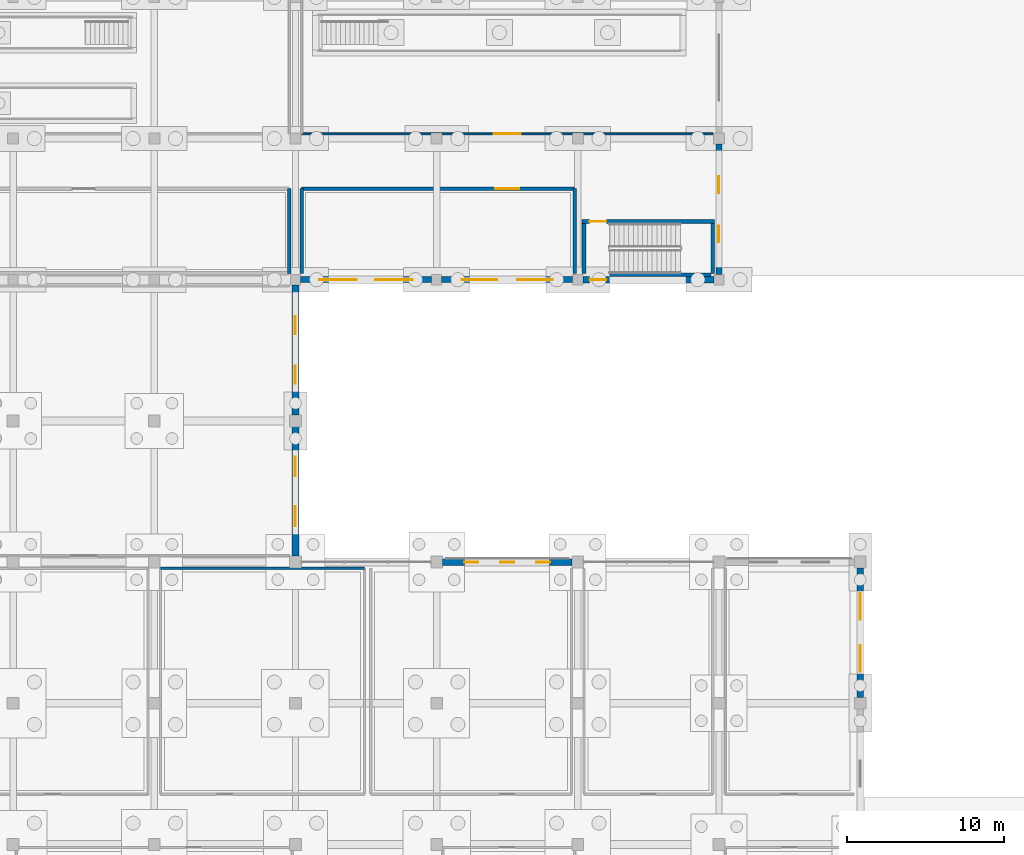
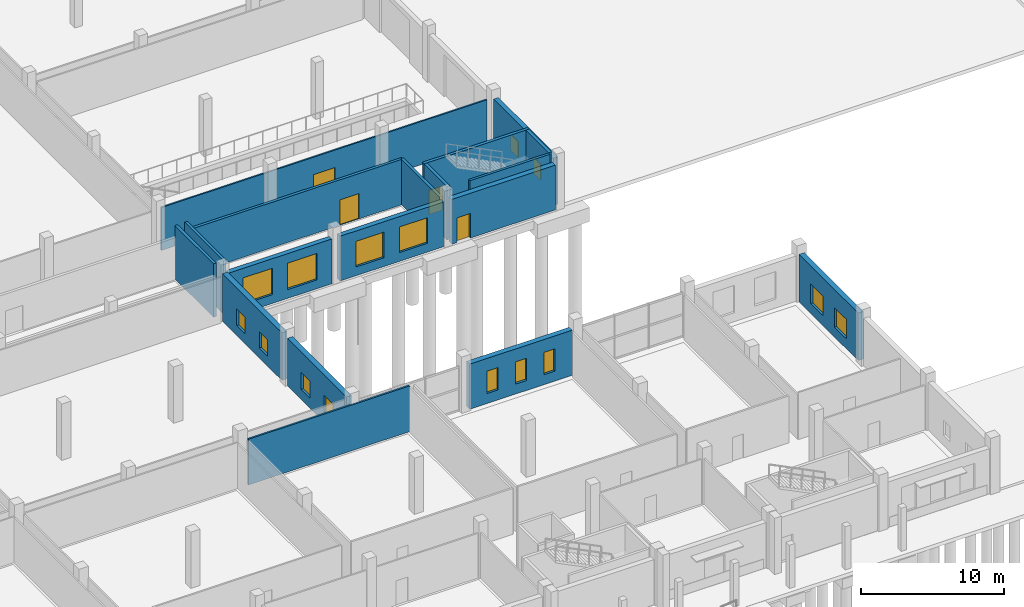
# One storey, part 66 of 112: 18 walls, 15 windows, 4 doors, 19 openings.
"""IFC4 building model written with IfcOpenShell, lengths in metres."""

from ifc_helpers import new_model, si_unit, direction, frame, frame_2d, origin, place, context, subcontext, project, spatial, rectangle, extrude, material, layer, layer_set, type_object, element, fill, save


model = new_model("IFC4")

# Units and contexts
model_context = context("Model", 3, precision=1e-05, world=origin(), true_north=direction((0.0, 1.0)))
body_context = subcontext(model_context, "Body", "Model", "MODEL_VIEW")
ifc_project = project(units=[si_unit("LENGTHUNIT", "METRE"), si_unit("AREAUNIT", "SQUARE_METRE"), si_unit("VOLUMEUNIT", "CUBIC_METRE"), si_unit("PLANEANGLEUNIT", "RADIAN"), si_unit("MASSUNIT", "GRAM", prefix="KILO")], contexts=[model_context])

# Site, building, storey
site_placement = place(None, origin())
site = spatial("IfcSite", under=ifc_project, at=site_placement, CompositionType="ELEMENT")
building_placement = place(site_placement, origin())
building = spatial("IfcBuilding", under=site, at=building_placement, Name="Tharagai Park Tramway Depot", CompositionType="ELEMENT")
storey_placement = place(building_placement, origin())
storey = spatial("IfcBuildingStorey", under=building, at=storey_placement, Name="L00", CompositionType="ELEMENT", Elevation=0.0)

# Wall, openings, windows
ifc_material_1 = material(Name="Charnockite stone", Category="masonry")
ifc_layer_1 = layer(ifc_material_1, 0.3798828125)
ifc_layer_set_1 = layer_set([ifc_layer_1], Name="Charnockite stone")
wall_type_1 = type_object("IfcWallType", Name="EW-01", PredefinedType="SOLIDWALL", material=ifc_layer_set_1)
wall_1_placement = place(storey_placement, frame((63.322998046875, 45.0, 0.0), z_axis=(0.0, 0.0, 1.0), x_axis=(1.0, 0.0, 0.0)))
wall_1 = element("IfcWall", 1, at=wall_1_placement, inside=storey, type_object=wall_type_1, Name="L00 V2 Exterior Masonry Wall EW-01", PredefinedType="SOLIDWALL", context=body_context, shape_type="SweptSolid", body=[
    extrude(rectangle(XDim=8.35400390625, YDim=0.3798828125, at=frame_2d((4.177001953125, 0.0))), origin(), (0.0, 0.0, 1.0), 3.81201171875),
])
opening_1_placement = place(wall_1_placement, frame((1.18505859375, 0.0, 0.75)))
opening_1 = element("IfcOpeningElement", 2, at=opening_1_placement, cuts=wall_1, Name="Opening WN-34", PredefinedType="OPENING", context=body_context, shape_type="SweptSolid", body=[
    extrude(rectangle(XDim=2.39990234375, YDim=2.25, at=frame_2d((1.199951171875, 1.125))), frame((0.0, 0.199951171875, 0.0), z_axis=(0.0, -1.0, 0.0), x_axis=(1.0, 0.0, 0.0)), (0.0, 0.0, 1.0), 0.39990234375),
])
opening_2_placement = place(wall_1_placement, frame((4.76904296875, 0.0, 0.75)))
opening_2 = element("IfcOpeningElement", 3, at=opening_2_placement, cuts=wall_1, Name="Opening WN-34", PredefinedType="OPENING", context=body_context, shape_type="SweptSolid", body=[
    extrude(rectangle(XDim=2.39990234375, YDim=2.25, at=frame_2d((1.199951171875, 1.125))), frame((0.0, 0.199951171875, 0.0), z_axis=(0.0, -1.0, 0.0), x_axis=(1.0, 0.0, 0.0)), (0.0, 0.0, 1.0), 0.39990234375),
])
ifc_material_2 = material(Name="Laminated solar-control glass", Category="glass")
window_type_1 = type_object("IfcWindowType", Name="WN-34", PartitioningType="SINGLE_PANEL", PredefinedType="WINDOW", material=ifc_material_2)
window_1_placement = place(opening_1_placement, origin())
window_1 = element("IfcWindow", 4, at=window_1_placement, inside=storey, type_object=window_type_1, Name="L00 V2 Gothic Lancet Window WN-34", OverallHeight=2.25, OverallWidth=2.39990234375, PartitioningType="SINGLE_PANEL", PredefinedType="WINDOW", context=body_context, shape_type="SweptSolid", body=[
    extrude(rectangle(XDim=2.39990234375, YDim=2.25, at=frame_2d((1.199951171875, 1.125))), frame((0.0, 0.030029296875, 0.0), z_axis=(0.0, -1.0, 0.0), x_axis=(1.0, 0.0, 0.0)), (0.0, 0.0, 1.0), 0.06005859375),
])
fill(opening_1, window_1)
window_2_placement = place(opening_2_placement, origin())
window_2 = element("IfcWindow", 5, at=window_2_placement, inside=storey, type_object=window_type_1, Name="L00 V2 Gothic Lancet Window WN-34", OverallHeight=2.25, OverallWidth=2.39990234375, PartitioningType="SINGLE_PANEL", PredefinedType="WINDOW", context=body_context, shape_type="SweptSolid", body=[
    extrude(rectangle(XDim=2.39990234375, YDim=2.25, at=frame_2d((1.199951171875, 1.125))), frame((0.0, 0.030029296875, 0.0), z_axis=(0.0, -1.0, 0.0), x_axis=(1.0, 0.0, 0.0)), (0.0, 0.0, 1.0), 0.06005859375),
])
fill(opening_2, window_2)

wall_2_placement = place(storey_placement, frame((72.322998046875, 45.0, 0.0), z_axis=(0.0, 0.0, 1.0), x_axis=(1.0, 0.0, 0.0)))
wall_2 = element("IfcWall", 6, at=wall_2_placement, inside=storey, type_object=wall_type_1, Name="L00 V2 Exterior Masonry Wall EW-01", PredefinedType="SOLIDWALL", context=body_context, shape_type="SweptSolid", body=[
    extrude(rectangle(XDim=8.35400390625, YDim=0.3798828125, at=frame_2d((4.177001953125, 0.0))), origin(), (0.0, 0.0, 1.0), 3.81201171875),
])
opening_3_placement = place(wall_2_placement, frame((1.284912109375, 0.0, 0.75)))
opening_3 = element("IfcOpeningElement", 7, at=opening_3_placement, cuts=wall_2, Name="Opening WN-36", PredefinedType="OPENING", context=body_context, shape_type="SweptSolid", body=[
    extrude(rectangle(XDim=2.25, YDim=2.179931640625, at=frame_2d((1.125, 1.08984375))), frame((0.0, 0.199951171875, 0.0), z_axis=(0.0, -1.0, 0.0), x_axis=(1.0, 0.0, 0.0)), (0.0, 0.0, 1.0), 0.39990234375),
])
opening_4_placement = place(wall_2_placement, frame((4.819091796875, 0.0, 0.75)))
opening_4 = element("IfcOpeningElement", 8, at=opening_4_placement, cuts=wall_2, Name="Opening WN-36", PredefinedType="OPENING", context=body_context, shape_type="SweptSolid", body=[
    extrude(rectangle(XDim=2.25, YDim=2.179931640625, at=frame_2d((1.125, 1.08984375))), frame((0.0, 0.199951171875, 0.0), z_axis=(0.0, -1.0, 0.0), x_axis=(1.0, 0.0, 0.0)), (0.0, 0.0, 1.0), 0.39990234375),
])
window_type_2 = type_object("IfcWindowType", Name="WN-36", PartitioningType="SINGLE_PANEL", PredefinedType="WINDOW", material=ifc_material_2)
window_3_placement = place(opening_3_placement, origin())
window_3 = element("IfcWindow", 9, at=window_3_placement, inside=storey, type_object=window_type_2, Name="L00 V2 Gothic Lancet Window WN-36", OverallHeight=2.179931640625, OverallWidth=2.25, PartitioningType="SINGLE_PANEL", PredefinedType="WINDOW", context=body_context, shape_type="SweptSolid", body=[
    extrude(rectangle(XDim=2.25, YDim=2.179931640625, at=frame_2d((1.125, 1.08984375))), frame((0.0, 0.030029296875, 0.0), z_axis=(0.0, -1.0, 0.0), x_axis=(1.0, 0.0, 0.0)), (0.0, 0.0, 1.0), 0.06005859375),
])
fill(opening_3, window_3)
window_4_placement = place(opening_4_placement, origin())
window_4 = element("IfcWindow", 10, at=window_4_placement, inside=storey, type_object=window_type_2, Name="L00 V2 Gothic Lancet Window WN-36", OverallHeight=2.179931640625, OverallWidth=2.25, PartitioningType="SINGLE_PANEL", PredefinedType="WINDOW", context=body_context, shape_type="SweptSolid", body=[
    extrude(rectangle(XDim=2.25, YDim=2.179931640625, at=frame_2d((1.125, 1.08984375))), frame((0.0, 0.030029296875, 0.0), z_axis=(0.0, -1.0, 0.0), x_axis=(1.0, 0.0, 0.0)), (0.0, 0.0, 1.0), 0.06005859375),
])
fill(opening_4, window_4)

wall_3_placement = place(storey_placement, frame((90.0, 45.322998046875, 0.0), z_axis=(0.0, 0.0, 1.0), x_axis=(0.0, 1.0, 0.0)))
wall_3 = element("IfcWall", 11, at=wall_3_placement, inside=storey, type_object=wall_type_1, Name="L00 V2 Exterior Masonry Wall EW-01", PredefinedType="SOLIDWALL", context=body_context, shape_type="SweptSolid", body=[
    extrude(rectangle(XDim=8.3291015625, YDim=0.3798828125, at=frame_2d((4.16455078125, 0.0))), origin(), (0.0, 0.0, 1.0), 4.011962890625),
])
opening_5_placement = place(wall_3_placement, frame((2.070068359375, 0.0, 0.85009765625)))
opening_5 = element("IfcOpeningElement", 12, at=opening_5_placement, cuts=wall_3, Name="Opening WN-54", PredefinedType="OPENING", context=body_context, shape_type="SweptSolid", body=[
    extrude(rectangle(XDim=1.06005859375, YDim=1.35009765625, at=frame_2d((0.530029296875, 0.675048828125))), frame((0.0, 0.199951171875, 0.0), z_axis=(0.0, -1.0, 0.0), x_axis=(1.0, 0.0, 0.0)), (0.0, 0.0, 1.0), 0.39990234375),
])
opening_6_placement = place(wall_3_placement, frame((5.198974609375, 0.0, 0.85009765625)))
opening_6 = element("IfcOpeningElement", 13, at=opening_6_placement, cuts=wall_3, Name="Opening WN-54", PredefinedType="OPENING", context=body_context, shape_type="SweptSolid", body=[
    extrude(rectangle(XDim=1.06005859375, YDim=1.35009765625, at=frame_2d((0.530029296875, 0.675048828125))), frame((0.0, 0.199951171875, 0.0), z_axis=(0.0, -1.0, 0.0), x_axis=(1.0, 0.0, 0.0)), (0.0, 0.0, 1.0), 0.39990234375),
])
window_type_3 = type_object("IfcWindowType", Name="WN-54", PartitioningType="SINGLE_PANEL", PredefinedType="WINDOW", material=ifc_material_2)
window_5_placement = place(opening_5_placement, origin())
window_5 = element("IfcWindow", 14, at=window_5_placement, inside=storey, type_object=window_type_3, Name="L00 V2 Side Lancet Window WN-54", OverallHeight=1.35009765625, OverallWidth=1.06005859375, PartitioningType="SINGLE_PANEL", PredefinedType="WINDOW", context=body_context, shape_type="SweptSolid", body=[
    extrude(rectangle(XDim=1.06005859375, YDim=1.35009765625, at=frame_2d((0.530029296875, 0.675048828125))), frame((0.0, 0.030029296875, 0.0), z_axis=(0.0, -1.0, 0.0), x_axis=(1.0, 0.0, 0.0)), (0.0, 0.0, 1.0), 0.06005859375),
])
fill(opening_5, window_5)
window_6_placement = place(opening_6_placement, origin())
window_6 = element("IfcWindow", 15, at=window_6_placement, inside=storey, type_object=window_type_3, Name="L00 V2 Side Lancet Window WN-54", OverallHeight=1.35009765625, OverallWidth=1.06005859375, PartitioningType="SINGLE_PANEL", PredefinedType="WINDOW", context=body_context, shape_type="SweptSolid", body=[
    extrude(rectangle(XDim=1.06005859375, YDim=1.35009765625, at=frame_2d((0.530029296875, 0.675048828125))), frame((0.0, 0.030029296875, 0.0), z_axis=(0.0, -1.0, 0.0), x_axis=(1.0, 0.0, 0.0)), (0.0, 0.0, 1.0), 0.06005859375),
])
fill(opening_6, window_6)

ifc_layer_2 = layer(ifc_material_1, 0.419921875)
ifc_layer_set_2 = layer_set([ifc_layer_2], Name="Charnockite stone")
wall_type_2 = type_object("IfcWallType", Name="EW-07", PredefinedType="SOLIDWALL", material=ifc_layer_set_2)
wall_4_placement = place(storey_placement, frame((72.373046875, 27.0, 0.0), z_axis=(0.0, 0.0, 1.0), x_axis=(1.0, 0.0, 0.0)))
wall_4 = element("IfcWall", 16, at=wall_4_placement, inside=storey, type_object=wall_type_2, Name="L00 V4 Exterior Masonry Wall EW-07", PredefinedType="SOLIDWALL", context=body_context, shape_type="SweptSolid", body=[
    extrude(rectangle(XDim=8.25390625, YDim=0.419921875, at=frame_2d((4.126953125, 0.0))), origin(), (0.0, 0.0, 1.0), 3.842041015625),
])
opening_7_placement = place(wall_4_placement, frame((1.387939453125, 0.0, 0.85009765625)))
opening_7 = element("IfcOpeningElement", 17, at=opening_7_placement, cuts=wall_4, Name="Opening WN-08", PredefinedType="OPENING", context=body_context, shape_type="SweptSolid", body=[
    extrude(rectangle(XDim=0.89990234375, YDim=1.89990234375, at=frame_2d((0.449951171875, 0.949951171875))), frame((0.0, 0.219970703125, 0.0), z_axis=(0.0, -1.0, 0.0), x_axis=(1.0, 0.0, 0.0)), (0.0, 0.0, 1.0), 0.43994140625),
])
opening_8_placement = place(wall_4_placement, frame((3.677001953125, 0.0, 0.85009765625)))
opening_8 = element("IfcOpeningElement", 18, at=opening_8_placement, cuts=wall_4, Name="Opening WN-08", PredefinedType="OPENING", context=body_context, shape_type="SweptSolid", body=[
    extrude(rectangle(XDim=0.89990234375, YDim=1.89990234375, at=frame_2d((0.449951171875, 0.949951171875))), frame((0.0, 0.219970703125, 0.0), z_axis=(0.0, -1.0, 0.0), x_axis=(1.0, 0.0, 0.0)), (0.0, 0.0, 1.0), 0.43994140625),
])
opening_9_placement = place(wall_4_placement, frame((5.965087890625, 0.0, 0.85009765625)))
opening_9 = element("IfcOpeningElement", 19, at=opening_9_placement, cuts=wall_4, Name="Opening WN-08", PredefinedType="OPENING", context=body_context, shape_type="SweptSolid", body=[
    extrude(rectangle(XDim=0.89990234375, YDim=1.89990234375, at=frame_2d((0.449951171875, 0.949951171875))), frame((0.0, 0.219970703125, 0.0), z_axis=(0.0, -1.0, 0.0), x_axis=(1.0, 0.0, 0.0)), (0.0, 0.0, 1.0), 0.43994140625),
])
window_type_4 = type_object("IfcWindowType", Name="WN-08", PartitioningType="SINGLE_PANEL", PredefinedType="WINDOW", material=ifc_material_2)
window_7_placement = place(opening_7_placement, origin())
window_7 = element("IfcWindow", 20, at=window_7_placement, inside=storey, type_object=window_type_4, Name="L00 V4 Gothic Lancet Window WN-08", OverallHeight=1.89990234375, OverallWidth=0.89990234375, PartitioningType="SINGLE_PANEL", PredefinedType="WINDOW", context=body_context, shape_type="SweptSolid", body=[
    extrude(rectangle(XDim=0.89990234375, YDim=1.89990234375, at=frame_2d((0.449951171875, 0.949951171875))), frame((0.0, 0.030029296875, 0.0), z_axis=(0.0, -1.0, 0.0), x_axis=(1.0, 0.0, 0.0)), (0.0, 0.0, 1.0), 0.06005859375),
])
fill(opening_7, window_7)
window_8_placement = place(opening_8_placement, origin())
window_8 = element("IfcWindow", 21, at=window_8_placement, inside=storey, type_object=window_type_4, Name="L00 V4 Gothic Lancet Window WN-08", OverallHeight=1.89990234375, OverallWidth=0.89990234375, PartitioningType="SINGLE_PANEL", PredefinedType="WINDOW", context=body_context, shape_type="SweptSolid", body=[
    extrude(rectangle(XDim=0.89990234375, YDim=1.89990234375, at=frame_2d((0.449951171875, 0.949951171875))), frame((0.0, 0.030029296875, 0.0), z_axis=(0.0, -1.0, 0.0), x_axis=(1.0, 0.0, 0.0)), (0.0, 0.0, 1.0), 0.06005859375),
])
fill(opening_8, window_8)
window_9_placement = place(opening_9_placement, origin())
window_9 = element("IfcWindow", 22, at=window_9_placement, inside=storey, type_object=window_type_4, Name="L00 V4 Gothic Lancet Window WN-08", OverallHeight=1.89990234375, OverallWidth=0.89990234375, PartitioningType="SINGLE_PANEL", PredefinedType="WINDOW", context=body_context, shape_type="SweptSolid", body=[
    extrude(rectangle(XDim=0.89990234375, YDim=1.89990234375, at=frame_2d((0.449951171875, 0.949951171875))), frame((0.0, 0.030029296875, 0.0), z_axis=(0.0, -1.0, 0.0), x_axis=(1.0, 0.0, 0.0)), (0.0, 0.0, 1.0), 0.06005859375),
])
fill(opening_9, window_9)

# Wall, opening, door
wall_5_placement = place(storey_placement, frame((81.322998046875, 45.0, 0.0), z_axis=(0.0, 0.0, 1.0), x_axis=(1.0, 0.0, 0.0)))
wall_5 = element("IfcWall", 23, at=wall_5_placement, inside=storey, type_object=wall_type_2, Name="L00 V2 Exterior Masonry Wall EW-07", PredefinedType="SOLIDWALL", context=body_context, shape_type="SweptSolid", body=[
    extrude(rectangle(XDim=8.35400390625, YDim=0.419921875, at=frame_2d((4.177001953125, 0.0))), origin(), (0.0, 0.0, 1.0), 3.81201171875),
])
opening_10_placement = place(wall_5_placement, frame((0.427001953125, 0.0, 0.0)))
opening_10 = element("IfcOpeningElement", 24, at=opening_10_placement, cuts=wall_5, Name="Opening ED-05", PredefinedType="OPENING", context=body_context, shape_type="SweptSolid", body=[
    extrude(rectangle(XDim=1.06005859375, YDim=2.10009765625, at=frame_2d((0.530029296875, 1.050048828125))), frame((0.0, 0.219970703125, 0.0), z_axis=(0.0, -1.0, 0.0), x_axis=(1.0, 0.0, 0.0)), (0.0, 0.0, 1.0), 0.43994140625),
])
ifc_material_3 = material(Name="Anodised aluminium", Category="aluminium")
door_type_1 = type_object("IfcDoorType", Name="ED-05", OperationType="NOTDEFINED", PredefinedType="DOOR", material=ifc_material_3)
door_1_placement = place(opening_10_placement, frame((1.06005859375, 0.0, 0.0), z_axis=(0.0, 0.0, 1.0), x_axis=(-1.0, 0.0, 0.0)))
door_1 = element("IfcDoor", 25, at=door_1_placement, inside=storey, type_object=door_type_1, Name="Core C9 Final Exit Door", OperationType="SINGLE_SWING_LEFT", OverallHeight=2.10009765625, OverallWidth=1.06005859375, PredefinedType="DOOR", context=body_context, shape_type="SweptSolid", body=[
    extrude(rectangle(XDim=1.06005859375, YDim=2.10009765625, at=frame_2d((0.530029296875, 1.050048828125))), frame((0.0, 0.02490234375, 0.0), z_axis=(0.0, -1.0, 0.0), x_axis=(1.0, 0.0, 0.0)), (0.0, 0.0, 1.0), 0.050048828125),
])
fill(opening_10, door_1)

# Wall, openings, windows
wall_6_placement = place(storey_placement, frame((63.0, 27.373046875, 0.0), z_axis=(0.0, 0.0, 1.0), x_axis=(0.0, 1.0, 0.0)))
wall_6 = element("IfcWall", 26, at=wall_6_placement, inside=storey, type_object=wall_type_2, Name="L00 V4 Exterior Masonry Wall EW-07", PredefinedType="SOLIDWALL", context=body_context, shape_type="SweptSolid", body=[
    extrude(rectangle(XDim=8.25390625, YDim=0.419921875, at=frame_2d((4.126953125, 0.0))), origin(), (0.0, 0.0, 1.0), 4.0419921875),
])
opening_11_placement = place(wall_6_placement, frame((1.910888671875, 0.0, 0.85009765625)))
opening_11 = element("IfcOpeningElement", 27, at=opening_11_placement, cuts=wall_6, Name="Opening WN-09", PredefinedType="OPENING", context=body_context, shape_type="SweptSolid", body=[
    extrude(rectangle(XDim=1.260009765625, YDim=1.4599609375, at=frame_2d((0.6298828125, 0.72998046875))), frame((0.0, 0.219970703125, 0.0), z_axis=(0.0, -1.0, 0.0), x_axis=(1.0, 0.0, 0.0)), (0.0, 0.0, 1.0), 0.43994140625),
])
opening_12_placement = place(wall_6_placement, frame((5.0830078125, 0.0, 0.85009765625)))
opening_12 = element("IfcOpeningElement", 28, at=opening_12_placement, cuts=wall_6, Name="Opening WN-09", PredefinedType="OPENING", context=body_context, shape_type="SweptSolid", body=[
    extrude(rectangle(XDim=1.260009765625, YDim=1.4599609375, at=frame_2d((0.6298828125, 0.72998046875))), frame((0.0, 0.219970703125, 0.0), z_axis=(0.0, -1.0, 0.0), x_axis=(1.0, 0.0, 0.0)), (0.0, 0.0, 1.0), 0.43994140625),
])
window_type_5 = type_object("IfcWindowType", Name="WN-09", PartitioningType="SINGLE_PANEL", PredefinedType="WINDOW", material=ifc_material_2)
window_10_placement = place(opening_11_placement, origin())
window_10 = element("IfcWindow", 29, at=window_10_placement, inside=storey, type_object=window_type_5, Name="L00 V4 Side Lancet Window WN-09", OverallHeight=1.4599609375, OverallWidth=1.260009765625, PartitioningType="SINGLE_PANEL", PredefinedType="WINDOW", context=body_context, shape_type="SweptSolid", body=[
    extrude(rectangle(XDim=1.260009765625, YDim=1.4599609375, at=frame_2d((0.6298828125, 0.72998046875))), frame((0.0, 0.030029296875, 0.0), z_axis=(0.0, -1.0, 0.0), x_axis=(1.0, 0.0, 0.0)), (0.0, 0.0, 1.0), 0.06005859375),
])
fill(opening_11, window_10)
window_11_placement = place(opening_12_placement, origin())
window_11 = element("IfcWindow", 30, at=window_11_placement, inside=storey, type_object=window_type_5, Name="L00 V4 Side Lancet Window WN-09", OverallHeight=1.4599609375, OverallWidth=1.260009765625, PartitioningType="SINGLE_PANEL", PredefinedType="WINDOW", context=body_context, shape_type="SweptSolid", body=[
    extrude(rectangle(XDim=1.260009765625, YDim=1.4599609375, at=frame_2d((0.6298828125, 0.72998046875))), frame((0.0, 0.030029296875, 0.0), z_axis=(0.0, -1.0, 0.0), x_axis=(1.0, 0.0, 0.0)), (0.0, 0.0, 1.0), 0.06005859375),
])
fill(opening_12, window_11)

wall_7_placement = place(storey_placement, frame((63.0, 36.373046875, 0.0), z_axis=(0.0, 0.0, 1.0), x_axis=(0.0, 1.0, 0.0)))
wall_7 = element("IfcWall", 31, at=wall_7_placement, inside=storey, type_object=wall_type_2, Name="L00 V4 Exterior Masonry Wall EW-07", PredefinedType="SOLIDWALL", context=body_context, shape_type="SweptSolid", body=[
    extrude(rectangle(XDim=8.303955078125, YDim=0.419921875, at=frame_2d((4.15185546875, 0.0))), origin(), (0.0, 0.0, 1.0), 4.0419921875),
])
opening_13_placement = place(wall_7_placement, frame((1.9951171875, 0.0, 0.85009765625)))
opening_13 = element("IfcOpeningElement", 32, at=opening_13_placement, cuts=wall_7, Name="Opening WN-42", PredefinedType="OPENING", context=body_context, shape_type="SweptSolid", body=[
    extrude(rectangle(XDim=1.159912109375, YDim=1.39990234375, at=frame_2d((0.580078125, 0.699951171875))), frame((0.0, 0.219970703125, 0.0), z_axis=(0.0, -1.0, 0.0), x_axis=(1.0, 0.0, 0.0)), (0.0, 0.0, 1.0), 0.43994140625),
])
opening_14_placement = place(wall_7_placement, frame((5.14892578125, 0.0, 0.85009765625)))
opening_14 = element("IfcOpeningElement", 33, at=opening_14_placement, cuts=wall_7, Name="Opening WN-42", PredefinedType="OPENING", context=body_context, shape_type="SweptSolid", body=[
    extrude(rectangle(XDim=1.159912109375, YDim=1.39990234375, at=frame_2d((0.580078125, 0.699951171875))), frame((0.0, 0.219970703125, 0.0), z_axis=(0.0, -1.0, 0.0), x_axis=(1.0, 0.0, 0.0)), (0.0, 0.0, 1.0), 0.43994140625),
])
window_type_6 = type_object("IfcWindowType", Name="WN-42", PartitioningType="SINGLE_PANEL", PredefinedType="WINDOW", material=ifc_material_2)
window_12_placement = place(opening_13_placement, origin())
window_12 = element("IfcWindow", 34, at=window_12_placement, inside=storey, type_object=window_type_6, Name="L00 V4 Side Lancet Window WN-42", OverallHeight=1.39990234375, OverallWidth=1.159912109375, PartitioningType="SINGLE_PANEL", PredefinedType="WINDOW", context=body_context, shape_type="SweptSolid", body=[
    extrude(rectangle(XDim=1.159912109375, YDim=1.39990234375, at=frame_2d((0.580078125, 0.699951171875))), frame((0.0, 0.030029296875, 0.0), z_axis=(0.0, -1.0, 0.0), x_axis=(1.0, 0.0, 0.0)), (0.0, 0.0, 1.0), 0.06005859375),
])
fill(opening_13, window_12)
window_13_placement = place(opening_14_placement, origin())
window_13 = element("IfcWindow", 35, at=window_13_placement, inside=storey, type_object=window_type_6, Name="L00 V4 Side Lancet Window WN-42", OverallHeight=1.39990234375, OverallWidth=1.159912109375, PartitioningType="SINGLE_PANEL", PredefinedType="WINDOW", context=body_context, shape_type="SweptSolid", body=[
    extrude(rectangle(XDim=1.159912109375, YDim=1.39990234375, at=frame_2d((0.580078125, 0.699951171875))), frame((0.0, 0.030029296875, 0.0), z_axis=(0.0, -1.0, 0.0), x_axis=(1.0, 0.0, 0.0)), (0.0, 0.0, 1.0), 0.06005859375),
])
fill(opening_14, window_13)

wall_8_placement = place(storey_placement, frame((99.0, 18.373046875, 0.0), z_axis=(0.0, 0.0, 1.0), x_axis=(0.0, 1.0, 0.0)))
wall_8 = element("IfcWall", 36, at=wall_8_placement, inside=storey, type_object=wall_type_2, Name="L00 V4 Exterior Masonry Wall EW-07", PredefinedType="SOLIDWALL", context=body_context, shape_type="SweptSolid", body=[
    extrude(rectangle(XDim=8.25390625, YDim=0.419921875, at=frame_2d((4.126953125, 0.0))), origin(), (0.0, 0.0, 1.0), 4.0419921875),
])
opening_15_placement = place(wall_8_placement, frame((1.631103515625, 0.0, 0.85009765625)))
opening_15 = element("IfcOpeningElement", 37, at=opening_15_placement, cuts=wall_8, Name="Opening WN-38", PredefinedType="OPENING", context=body_context, shape_type="SweptSolid", body=[
    extrude(rectangle(XDim=1.679931640625, YDim=1.659912109375, at=frame_2d((0.83984375, 0.830078125))), frame((0.0, 0.219970703125, 0.0), z_axis=(0.0, -1.0, 0.0), x_axis=(1.0, 0.0, 0.0)), (0.0, 0.0, 1.0), 0.43994140625),
])
opening_16_placement = place(wall_8_placement, frame((4.943115234375, 0.0, 0.85009765625)))
opening_16 = element("IfcOpeningElement", 38, at=opening_16_placement, cuts=wall_8, Name="Opening WN-38", PredefinedType="OPENING", context=body_context, shape_type="SweptSolid", body=[
    extrude(rectangle(XDim=1.679931640625, YDim=1.659912109375, at=frame_2d((0.83984375, 0.830078125))), frame((0.0, 0.219970703125, 0.0), z_axis=(0.0, -1.0, 0.0), x_axis=(1.0, 0.0, 0.0)), (0.0, 0.0, 1.0), 0.43994140625),
])
window_type_7 = type_object("IfcWindowType", Name="WN-38", PartitioningType="SINGLE_PANEL", PredefinedType="WINDOW", material=ifc_material_2)
window_14_placement = place(opening_15_placement, origin())
window_14 = element("IfcWindow", 39, at=window_14_placement, inside=storey, type_object=window_type_7, Name="L00 V4 Side Lancet Window WN-38", OverallHeight=1.659912109375, OverallWidth=1.679931640625, PartitioningType="SINGLE_PANEL", PredefinedType="WINDOW", context=body_context, shape_type="SweptSolid", body=[
    extrude(rectangle(XDim=1.679931640625, YDim=1.659912109375, at=frame_2d((0.83984375, 0.830078125))), frame((0.0, 0.030029296875, 0.0), z_axis=(0.0, -1.0, 0.0), x_axis=(1.0, 0.0, 0.0)), (0.0, 0.0, 1.0), 0.06005859375),
])
fill(opening_15, window_14)
window_15_placement = place(opening_16_placement, origin())
window_15 = element("IfcWindow", 40, at=window_15_placement, inside=storey, type_object=window_type_7, Name="L00 V4 Side Lancet Window WN-38", OverallHeight=1.659912109375, OverallWidth=1.679931640625, PartitioningType="SINGLE_PANEL", PredefinedType="WINDOW", context=body_context, shape_type="SweptSolid", body=[
    extrude(rectangle(XDim=1.679931640625, YDim=1.659912109375, at=frame_2d((0.83984375, 0.830078125))), frame((0.0, 0.030029296875, 0.0), z_axis=(0.0, -1.0, 0.0), x_axis=(1.0, 0.0, 0.0)), (0.0, 0.0, 1.0), 0.06005859375),
])
fill(opening_16, window_15)

# Wall
ifc_material_4 = material(Name="Pressed clay brick", Category="masonry")
ifc_layer_3 = layer(ifc_material_4, 0.139892578125)
ifc_layer_set_3 = layer_set([ifc_layer_3], Name="Pressed clay brick")
wall_type_3 = type_object("IfcWallType", Name="IW-01", PredefinedType="PARTITIONING", material=ifc_layer_set_3)
wall_9_placement = place(storey_placement, frame((54.39990234375, 26.60009765625, 0.0), z_axis=(0.0, 0.0, 1.0), x_axis=(1.0, 0.0, 0.0)))
element("IfcWall", 41, at=wall_9_placement, inside=storey, type_object=wall_type_3, Name="Ground Male WC Partition North", PredefinedType="PARTITIONING", context=body_context, shape_type="SweptSolid", body=[
    extrude(rectangle(XDim=13.0, YDim=0.139892578125, at=frame_2d((6.5, 0.0))), origin(), (0.0, 0.0, 1.0), 3.89501953125),
])

# Wall, opening, door
ifc_material_5 = material(Name="Gypsum board", Category="gypsum")
ifc_layer_4 = layer(ifc_material_5, 0.1201171875)
ifc_layer_set_4 = layer_set([ifc_layer_4], Name="Gypsum board")
wall_type_4 = type_object("IfcWallType", Name="IW-03", PredefinedType="PARTITIONING", material=ifc_layer_set_4)
wall_10_placement = place(storey_placement, frame((63.39990234375, 54.300048828125, 0.0), z_axis=(0.0, 0.0, 1.0), x_axis=(1.0, 0.0, 0.0)))
wall_10 = element("IfcWall", 42, at=wall_10_placement, inside=storey, type_object=wall_type_4, Name="Underfloor Wheel Lathe Inspection Pit Hall Partition South", PredefinedType="PARTITIONING", context=body_context, shape_type="SweptSolid", body=[
    extrude(rectangle(XDim=26.2001953125, YDim=0.1201171875, at=frame_2d((13.10009765625, 0.0))), origin(), (0.0, 0.0, 1.0), 3.6650390625),
])
opening_17_placement = place(wall_10_placement, frame((12.22998046875, 0.0, 0.0)))
opening_17 = element("IfcOpeningElement", 43, at=opening_17_placement, cuts=wall_10, Name="Opening ID-04", PredefinedType="OPENING", context=body_context, shape_type="SweptSolid", body=[
    extrude(rectangle(XDim=1.739990234375, YDim=2.179931640625, at=frame_2d((0.8701171875, 1.08984375))), frame((0.0, 0.070068359375, 0.0), z_axis=(0.0, -1.0, 0.0), x_axis=(1.0, 0.0, 0.0)), (0.0, 0.0, 1.0), 0.14013671875),
])
door_type_2 = type_object("IfcDoorType", Name="ID-04", OperationType="DOUBLE_SWING_LEFT", PredefinedType="DOOR", material=ifc_material_3)
door_2_placement = place(opening_17_placement, frame((1.739990234375, 0.0, 0.0), z_axis=(0.0, 0.0, 1.0), x_axis=(-1.0, 0.0, 0.0)))
door_2 = element("IfcDoor", 44, at=door_2_placement, inside=storey, type_object=door_type_2, Name="Underfloor Wheel Lathe Inspection Pit Hall Door", OperationType="DOUBLE_SWING_LEFT", OverallHeight=2.179931640625, OverallWidth=1.739990234375, PredefinedType="DOOR", context=body_context, shape_type="SweptSolid", body=[
    extrude(rectangle(XDim=1.739990234375, YDim=2.179931640625, at=frame_2d((0.8701171875, 1.08984375))), frame((0.0, 0.02490234375, 0.0), z_axis=(0.0, -1.0, 0.0), x_axis=(1.0, 0.0, 0.0)), (0.0, 0.0, 1.0), 0.050048828125),
])
fill(opening_17, door_2)

# Wall
ifc_layer_5 = layer(ifc_material_4, 0.219970703125)
ifc_layer_set_5 = layer_set([ifc_layer_5], Name="Pressed clay brick")
wall_type_5 = type_object("IfcWallType", Name="IW-05", PredefinedType="SOLIDWALL", material=ifc_layer_set_5)
wall_11_placement = place(storey_placement, frame((62.60009765625, 45.39990234375, 0.0), z_axis=(0.0, 0.0, 1.0), x_axis=(0.0, 1.0, 0.0)))
element("IfcWall", 45, at=wall_11_placement, inside=storey, type_object=wall_type_5, Name="Lubricants and Hydraulic Fluid Store Partition East", PredefinedType="SOLIDWALL", context=body_context, shape_type="SweptSolid", body=[
    extrude(rectangle(XDim=5.400146484375, YDim=0.219970703125, at=frame_2d((2.7001953125, 0.0))), origin(), (0.0, 0.0, 1.0), 4.550048828125),
])

# Wall, opening, door
wall_12_placement = place(storey_placement, frame((63.39990234375, 50.800048828125, 0.0), z_axis=(0.0, 0.0, 1.0), x_axis=(1.0, 0.0, 0.0)))
wall_12 = element("IfcWall", 46, at=wall_12_placement, inside=storey, type_object=wall_type_5, Name="Compressed Air and Vacuum Plant Room Partition North", PredefinedType="SOLIDWALL", context=body_context, shape_type="SweptSolid", body=[
    extrude(rectangle(XDim=17.400146484375, YDim=0.219970703125, at=frame_2d((8.7001953125, 0.0))), origin(), (0.0, 0.0, 1.0), 3.864990234375),
])
opening_18_placement = place(wall_12_placement, frame((12.340087890625, 0.0, 0.0)))
opening_18 = element("IfcOpeningElement", 47, at=opening_18_placement, cuts=wall_12, Name="Opening ID-11", PredefinedType="OPENING", context=body_context, shape_type="SweptSolid", body=[
    extrude(rectangle(XDim=1.52001953125, YDim=2.159912109375, at=frame_2d((0.760009765625, 1.080078125))), frame((0.0, 0.119873046875, 0.0), z_axis=(0.0, -1.0, 0.0), x_axis=(1.0, 0.0, 0.0)), (0.0, 0.0, 1.0), 0.239990234375),
])
ifc_material_6 = material(Name="Galvanised steel", Category="steel")
door_type_3 = type_object("IfcDoorType", Name="ID-11", OperationType="DOUBLE_SWING_LEFT", PredefinedType="DOOR", material=ifc_material_6)
door_3_placement = place(opening_18_placement, origin())
door_3 = element("IfcDoor", 48, at=door_3_placement, inside=storey, type_object=door_type_3, Name="Compressed Air and Vacuum Plant Room Door", OperationType="DOUBLE_SWING_LEFT", OverallHeight=2.159912109375, OverallWidth=1.52001953125, PredefinedType="DOOR", context=body_context, shape_type="SweptSolid", body=[
    extrude(rectangle(XDim=1.52001953125, YDim=2.159912109375, at=frame_2d((0.760009765625, 1.080078125))), frame((0.0, 0.02490234375, 0.0), z_axis=(0.0, -1.0, 0.0), x_axis=(1.0, 0.0, 0.0)), (0.0, 0.0, 1.0), 0.050048828125),
])
fill(opening_18, door_3)

# Walls
wall_13_placement = place(storey_placement, frame((63.39990234375, 45.39990234375, 0.0), z_axis=(0.0, 0.0, 1.0), x_axis=(0.0, 1.0, 0.0)))
element("IfcWall", 49, at=wall_13_placement, inside=storey, type_object=wall_type_5, Name="Compressed Air and Vacuum Plant Room Partition West", PredefinedType="SOLIDWALL", context=body_context, shape_type="SweptSolid", body=[
    extrude(rectangle(XDim=5.400146484375, YDim=0.219970703125, at=frame_2d((2.7001953125, 0.0))), origin(), (0.0, 0.0, 1.0), 4.550048828125),
])
wall_14_placement = place(storey_placement, frame((80.800048828125, 45.39990234375, 0.0), z_axis=(0.0, 0.0, 1.0), x_axis=(0.0, 1.0, 0.0)))
element("IfcWall", 50, at=wall_14_placement, inside=storey, type_object=wall_type_5, Name="Compressed Air and Vacuum Plant Room Partition East", PredefinedType="SOLIDWALL", context=body_context, shape_type="SweptSolid", body=[
    extrude(rectangle(XDim=5.400146484375, YDim=0.219970703125, at=frame_2d((2.7001953125, 0.0))), origin(), (0.0, 0.0, 1.0), 3.864990234375),
])

# Wall, opening, door
ifc_material_7 = material(Name="Concrete M40", Category="concrete")
ifc_layer_6 = layer(ifc_material_7, 0.239990234375)
ifc_layer_set_6 = layer_set([ifc_layer_6], Name="Concrete M40")
wall_type_6 = type_object("IfcWallType", Name="SW-01", PredefinedType="SHEAR", material=ifc_layer_set_6)
wall_15_placement = place(storey_placement, frame((81.280029296875, 48.7099609375, 0.0), z_axis=(0.0, 0.0, 1.0), x_axis=(1.0, 0.0, 0.0)))
wall_15 = element("IfcWall", 51, at=wall_15_placement, inside=storey, type_object=wall_type_6, Name="Core C9 L00 Shear Wall North", PredefinedType="SHEAR", context=body_context, shape_type="SweptSolid", body=[
    extrude(rectangle(XDim=8.43994140625, YDim=0.239990234375, at=frame_2d((4.219970703125, 0.0))), origin(), (0.0, 0.0, 1.0), 4.550048828125),
])
opening_19_placement = place(wall_15_placement, frame((0.4599609375, 0.0, 0.0)))
opening_19 = element("IfcOpeningElement", 52, at=opening_19_placement, cuts=wall_15, Name="Opening ID-05", PredefinedType="OPENING", context=body_context, shape_type="SweptSolid", body=[
    extrude(rectangle(XDim=1.080078125, YDim=2.080078125, at=frame_2d((0.5400390625, 1.0400390625))), frame((0.0, 0.1298828125, 0.0), z_axis=(0.0, -1.0, 0.0), x_axis=(1.0, 0.0, 0.0)), (0.0, 0.0, 1.0), 0.260009765625),
])
door_type_4 = type_object("IfcDoorType", Name="ID-05", OperationType="NOTDEFINED", PredefinedType="DOOR", material=ifc_material_6)
door_4_placement = place(opening_19_placement, origin())
door_4 = element("IfcDoor", 53, at=door_4_placement, inside=storey, type_object=door_type_4, Name="Stair ST-09 L00 Fire Door", OperationType="SINGLE_SWING_LEFT", OverallHeight=2.080078125, OverallWidth=1.080078125, PredefinedType="DOOR", context=body_context, shape_type="SweptSolid", body=[
    extrude(rectangle(XDim=1.080078125, YDim=2.080078125, at=frame_2d((0.5400390625, 1.0400390625))), frame((0.0, 0.02490234375, 0.0), z_axis=(0.0, -1.0, 0.0), x_axis=(1.0, 0.0, 0.0)), (0.0, 0.0, 1.0), 0.050048828125),
])
fill(opening_19, door_4)

# Walls
for number, where, z_axis, x_axis, name in (
    (54, (81.39990234375, 45.39990234375, 0.0), (0.0, 0.0, 1.0), (0.0, 1.0, 0.0), "Core C9 L00 Shear Wall West"),
    (55, (89.60009765625, 45.39990234375, 0.0), (0.0, 0.0, 1.0), (0.0, 1.0, 0.0), "Core C9 L00 Shear Wall East"),
):
    element("IfcWall", number, at=place(storey_placement, frame(where, z_axis=z_axis, x_axis=x_axis)), inside=storey, type_object=wall_type_6, Name=name, PredefinedType="SHEAR", context=body_context, shape_type="SweptSolid", body=[
        extrude(rectangle(XDim=3.190185546875, YDim=0.239990234375, at=frame_2d((1.59521484375, 0.0))), origin(), (0.0, 0.0, 1.0), 4.550048828125),
    ])
ifc_layer_7 = layer(ifc_material_7, 0.199951171875)
ifc_layer_set_7 = layer_set([ifc_layer_7], Name="Concrete M40")
wall_type_7 = type_object("IfcWallType", Name="SW-02", PredefinedType="SHEAR", material=ifc_layer_set_7)
wall_16_placement = place(storey_placement, frame((83.0400390625, 45.31494140625, 0.0), z_axis=(0.0, 0.0, 1.0), x_axis=(1.0, 0.0, 0.0)))
element("IfcWall", 56, at=wall_16_placement, inside=storey, type_object=wall_type_7, Name="Core C9 L00 Shear Bearing Liner South", PredefinedType="SHEAR", context=body_context, shape_type="SweptSolid", body=[
    extrude(rectangle(XDim=6.43994140625, YDim=0.199951171875, at=frame_2d((3.219970703125, 0.0))), origin(), (0.0, 0.0, 1.0), 4.550048828125),
])

save(model, "model.ifc")
